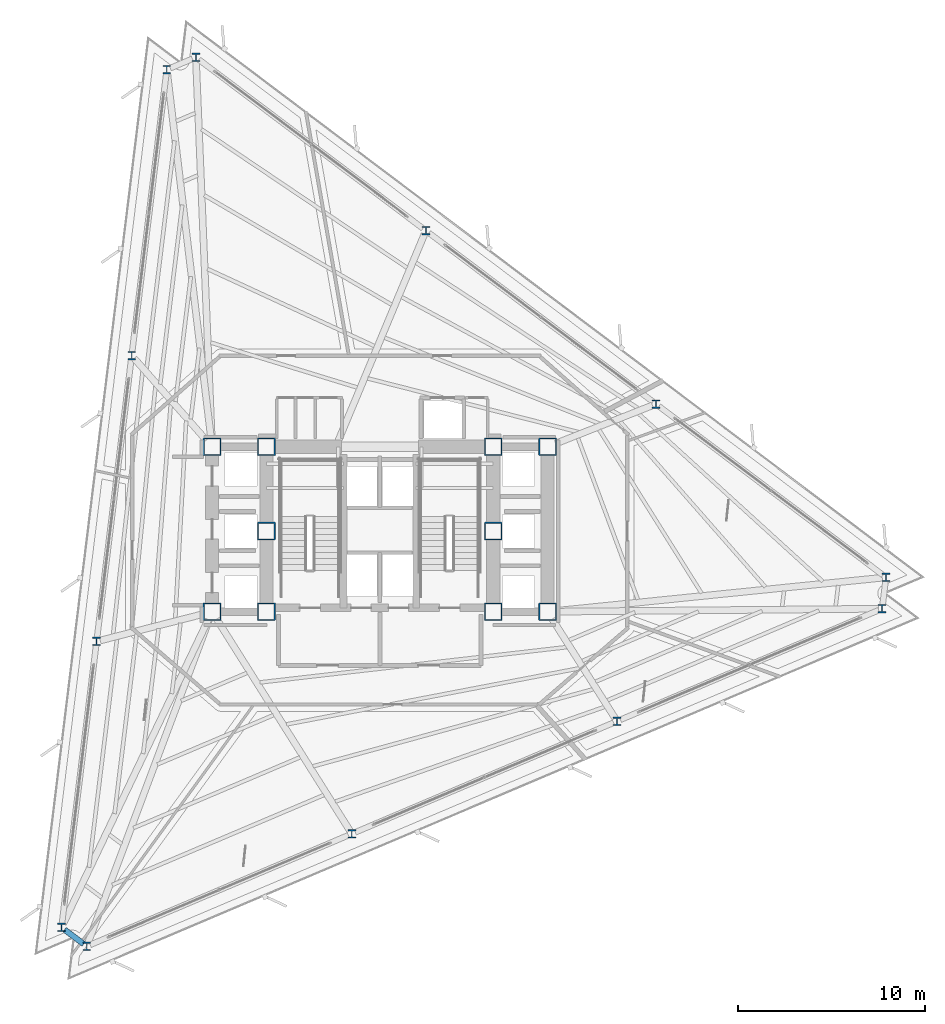
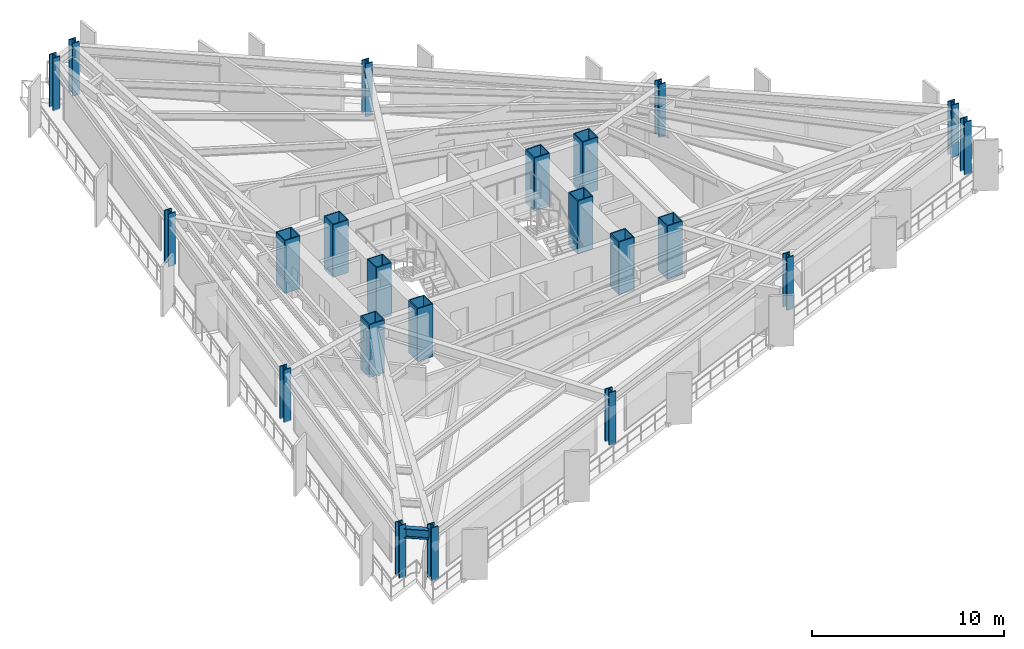
# One storey, part 1 of 13: 22 columns, 1 beam.
"""IFC4 building model written with IfcOpenShell, lengths in metres."""

from ifc_helpers import new_model, si_unit, direction, frame, origin, origin_2d, place, context, subcontext, project, spatial, hollow_rectangle, i_section, extrude, material, material_profile, profile_set, type_object, element, save


model = new_model("IFC4")

# Units and contexts
model_context = context("Model", 3, precision=1e-05, world=origin(), true_north=direction((0.0, 1.0)))
body_context = subcontext(model_context, "Body", "Model", "MODEL_VIEW")
ifc_project = project(units=[si_unit("LENGTHUNIT", "METRE"), si_unit("AREAUNIT", "SQUARE_METRE"), si_unit("VOLUMEUNIT", "CUBIC_METRE"), si_unit("PLANEANGLEUNIT", "RADIAN"), si_unit("MASSUNIT", "GRAM", prefix="KILO")], contexts=[model_context])

# Site, building, storey
site_placement = place(None, origin())
site = spatial("IfcSite", under=ifc_project, at=site_placement, CompositionType="ELEMENT")
building_placement = place(site_placement, origin())
building = spatial("IfcBuilding", under=site, at=building_placement, Name="Rocaltana Carrier Exchange", CompositionType="ELEMENT")
storey_placement = place(building_placement, frame((0.0, 0.0, 69.760009765625)))
storey = spatial("IfcBuildingStorey", under=building, at=storey_placement, Name="L21", CompositionType="ELEMENT", Elevation=69.760009765625)

# Columns
ifc_material_1 = material(Name="Steel S460", Category="steel")
ifc_material_profile_1 = material_profile(ifc_material_1, hollow_rectangle(XDim=0.949951171875, YDim=0.949951171875, WallThickness=0.06005859375, InnerFilletRadius=0.02001953125, OuterFilletRadius=0.0400390625, at=origin_2d()), Name="BOX950X950X60")
ifc_profile_set_1 = profile_set([ifc_material_profile_1], Name="Steel S460")
column_type_1 = type_object("IfcColumnType", Name="Core Mega-Column BOX950", PredefinedType="COLUMN", material=ifc_profile_set_1)
for number, where, z_axis, x_axis, name in (
    (1, (-6.050048828125, 4.5, 0.0), (0.0, 0.0, 1.0), (1.0, 0.0, 0.0), "L21 Core Mega-Column MC1"),
    (2, (6.050048828125, 4.5, 0.0), (0.0, 0.0, 1.0), (1.0, 0.0, 0.0), "L21 Core Mega-Column MC2"),
    (3, (-6.050048828125, 0.0, 0.0), (0.0, 0.0, 1.0), (1.0, 0.0, 0.0), "L21 Core Mega-Column MC3"),
    (4, (6.050048828125, 0.0, 0.0), (0.0, 0.0, 1.0), (1.0, 0.0, 0.0), "L21 Core Mega-Column MC4"),
    (5, (-6.050048828125, -4.300048828125, 0.0), (0.0, 0.0, 1.0), (1.0, 0.0, 0.0), "L21 Core Mega-Column MC5"),
    (6, (6.050048828125, -4.300048828125, 0.0), (0.0, 0.0, 1.0), (1.0, 0.0, 0.0), "L21 Core Mega-Column MC6"),
    (7, (-8.949951171875, 4.5, 0.0), (0.0, 0.0, 1.0), (1.0, 0.0, 0.0), "L21 West Core Column WC1"),
    (8, (-8.949951171875, -4.300048828125, 0.0), (0.0, 0.0, 1.0), (1.0, 0.0, 0.0), "L21 West Core Column WC2"),
    (9, (8.949951171875, 4.5, 0.0), (0.0, 0.0, 1.0), (1.0, 0.0, 0.0), "L21 East Core Column EC1"),
    (10, (8.949951171875, -4.300048828125, 0.0), (0.0, 0.0, 1.0), (1.0, 0.0, 0.0), "L21 East Core Column EC2"),
):
    element("IfcColumn", number, at=place(storey_placement, frame(where, z_axis=z_axis, x_axis=x_axis)), inside=storey, type_object=column_type_1, Name=name, PredefinedType="COLUMN", context=body_context, shape_type="SweptSolid", body=[
        extrude(hollow_rectangle(XDim=0.949951171875, YDim=0.949951171875, WallThickness=0.06005859375, InnerFilletRadius=0.02001953125, OuterFilletRadius=0.0400390625, at=origin_2d()), origin(), (0.0, 0.0, 1.0), 3.360107421875),
    ])
ifc_material_2 = material(Name="Steel S460", Category="steel")
ifc_material_profile_2 = material_profile(ifc_material_2, i_section(OverallWidth=0.41796875, OverallDepth=0.455078125, WebThickness=0.0419921875, FlangeThickness=0.067626953125, FilletRadius=0.02490234375, at=origin_2d()), Name="W14X370")
ifc_profile_set_2 = profile_set([ifc_material_profile_2], Name="Steel S460")
column_type_2 = type_object("IfcColumnType", Name="Perimeter Column W14X370", PredefinedType="COLUMN", material=ifc_profile_set_2)
for number, where, z_axis, x_axis, name in (
    (11, (27.0029296875, -2.466796875, 0.0), (0.0, 0.0, 1.0), (1.0, 0.0, 0.0), "L21 Perimeter Column TC01"),
    (12, (14.73046875, 6.781005859375, 0.0), (0.0, 0.0, 1.0), (1.0, 0.0, 0.0), "L21 Perimeter Column TC02"),
    (13, (2.458251953125, 16.029052734375, 0.0), (0.0, 0.0, 1.0), (1.0, 0.0, 0.0), "L21 Perimeter Column TC03"),
    (14, (-9.814208984375, 25.27685546875, 0.0), (0.0, 0.0, 1.0), (1.0, 0.0, 0.0), "L21 Perimeter Column TC04"),
    (15, (-11.365234375, 24.61865234375, 0.0), (0.0, 0.0, 1.0), (1.0, 0.0, 0.0), "L21 Perimeter Column TC05"),
    (16, (-13.23779296875, 9.366455078125, 0.0), (0.0, 0.0, 1.0), (1.0, 0.0, 0.0), "L21 Perimeter Column TC06"),
    (17, (-15.110595703125, -5.8857421875, 0.0), (0.0, 0.0, 1.0), (1.0, 0.0, 0.0), "L21 Perimeter Column TC07"),
    (18, (-16.9833984375, -21.1376953125, 0.0), (0.0, 0.0, 1.0), (1.0, 0.0, 0.0), "L21 Perimeter Column TC08"),
    (19, (-15.6376953125, -22.15185546875, 0.0), (0.0, 0.0, 1.0), (1.0, 0.0, 0.0), "L21 Perimeter Column TC09"),
    (20, (-1.49267578125, -16.147705078125, 0.0), (0.0, 0.0, 1.0), (1.0, 0.0, 0.0), "L21 Perimeter Column TC10"),
    (21, (12.652587890625, -10.143310546875, 0.0), (0.0, 0.0, 1.0), (1.0, 0.0, 0.0), "L21 Perimeter Column TC11"),
    (22, (26.797607421875, -4.13916015625, 0.0), (0.0, 0.0, 1.0), (1.0, 0.0, 0.0), "L21 Perimeter Column TC12"),
):
    element("IfcColumn", number, at=place(storey_placement, frame(where, z_axis=z_axis, x_axis=x_axis)), inside=storey, type_object=column_type_2, Name=name, PredefinedType="COLUMN", context=body_context, shape_type="SweptSolid", body=[
        extrude(i_section(OverallWidth=0.41796875, OverallDepth=0.455078125, WebThickness=0.0419921875, FlangeThickness=0.067626953125, FilletRadius=0.02490234375, at=origin_2d()), origin(), (0.0, 0.0, 1.0), 3.360107421875),
    ])

# Beam
ifc_material_3 = material(Name="Steel S355", Category="steel")
ifc_material_profile_3 = material_profile(ifc_material_3, i_section(OverallWidth=0.300048828125, OverallDepth=0.60009765625, WebThickness=0.015380859375, FlangeThickness=0.030029296875, FilletRadius=0.027099609375, at=origin_2d()), Name="HEB600")
ifc_profile_set_3 = profile_set([ifc_material_profile_3], Name="Steel S355")
beam_type = type_object("IfcBeamType", Name="Spandrel Edge Beam HEB600", PredefinedType="SPANDREL", material=ifc_profile_set_3)
beam_placement = place(storey_placement, frame((-16.822998046875, -21.2587890625, 2.798095703125), z_axis=(0.798765342934, -0.601642690414, 0.0), x_axis=(0.601642690414, 0.798765342934, 0.0)))
element("IfcBeam", 23, at=beam_placement, inside=storey, type_object=beam_type, Name="SP-L21-08", PredefinedType="SPANDREL", context=body_context, shape_type="SweptSolid", body=[
    extrude(i_section(OverallWidth=0.300048828125, OverallDepth=0.60009765625, WebThickness=0.015380859375, FlangeThickness=0.030029296875, FilletRadius=0.027099609375, at=origin_2d()), origin(), (0.0, 0.0, 1.0), 1.283203125),
])

save(model, "model.ifc")
